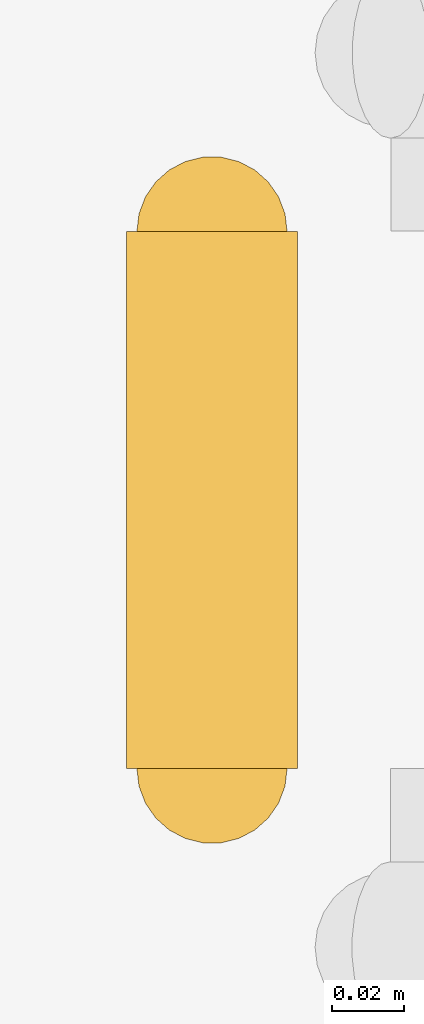
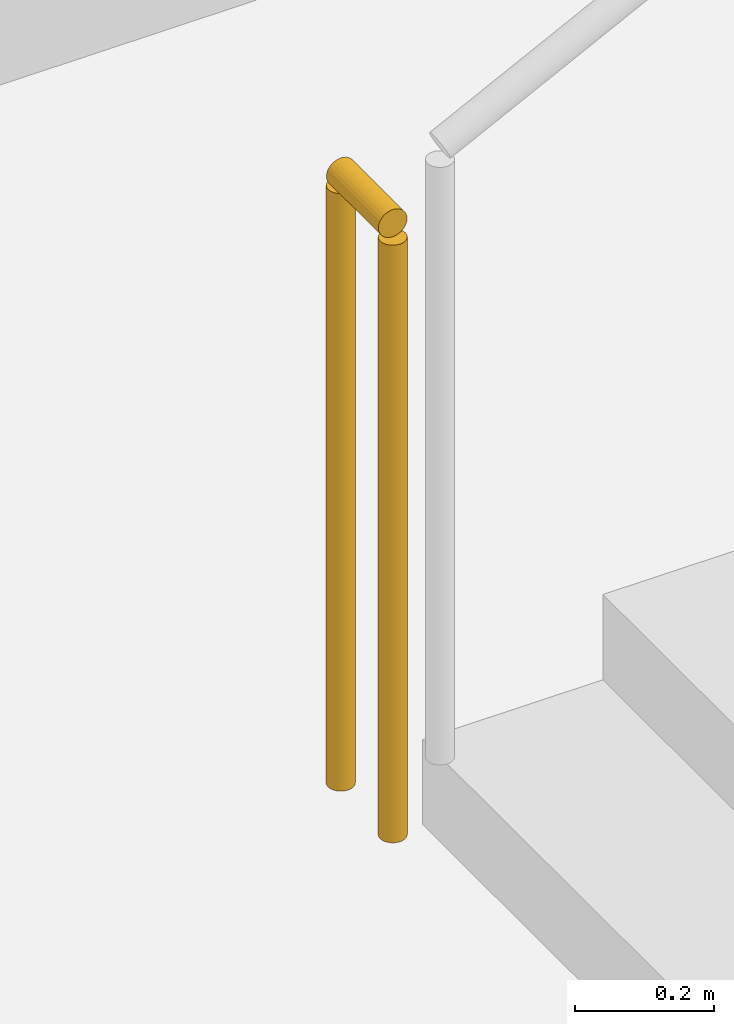
# One storey, part 49 of 54: 1 railing.
"""IFC4 building model written with IfcOpenShell, lengths in metres."""

from ifc_helpers import new_model, si_unit, direction, frame, origin, origin_2d, place, context, subcontext, project, spatial, circle, extrude, material, type_object, element, save


model = new_model("IFC4")

# Units and contexts
model_context = context("Model", 3, precision=1e-05, world=origin(), true_north=direction((0.0, 1.0)))
body_context = subcontext(model_context, "Body", "Model", "MODEL_VIEW")
ifc_project = project(units=[si_unit("LENGTHUNIT", "METRE"), si_unit("AREAUNIT", "SQUARE_METRE"), si_unit("VOLUMEUNIT", "CUBIC_METRE"), si_unit("PLANEANGLEUNIT", "RADIAN"), si_unit("MASSUNIT", "GRAM", prefix="KILO")], contexts=[model_context])

# Site, building, storey
site_placement = place(None, origin())
site = spatial("IfcSite", under=ifc_project, at=site_placement, CompositionType="ELEMENT")
building_placement = place(site_placement, origin())
building = spatial("IfcBuilding", under=site, at=building_placement, Name="Zevrakil Square Congress Hotel", CompositionType="ELEMENT")
storey_placement = place(building_placement, frame((0.0, 0.0, -8.39990234375)))
storey = spatial("IfcBuildingStorey", under=building, at=storey_placement, Name="B2", CompositionType="ELEMENT", Elevation=-8.39990234375)

# Railing
ifc_material = material(Name="Steel S355", Category="steel")
railing_type = type_object("IfcRailingType", Name="RLG-STAIR-GUARD-1100", PredefinedType="BALUSTRADE", material=ifc_material)
railing_placement = place(storey_placement, frame((57.35009765625, 87.0, 0.0)))
element("IfcRailing", 1, at=railing_placement, inside=storey, type_object=railing_type, Name="B2 ST05 stair guard 4", PredefinedType="BALUSTRADE", context=body_context, shape_type="SweptSolid", body=[
    extrude(circle(Radius=0.02392578125, at=origin_2d()), frame((0.0, 0.0, 1.076171875), z_axis=(0.0, 1.0, 0.0), x_axis=(-1.0, 0.0, 0.0)), (0.0, 0.0, 1.0), 0.14990234375),
    extrude(circle(Radius=0.02099609375, at=origin_2d()), origin(), (0.0, 0.0, 1.0), 1.052001953125),
    extrude(circle(Radius=0.02099609375, at=origin_2d()), frame((0.0, 0.14990234375, 0.0)), (0.0, 0.0, 1.0), 1.052001953125),
])

save(model, "model.ifc")
